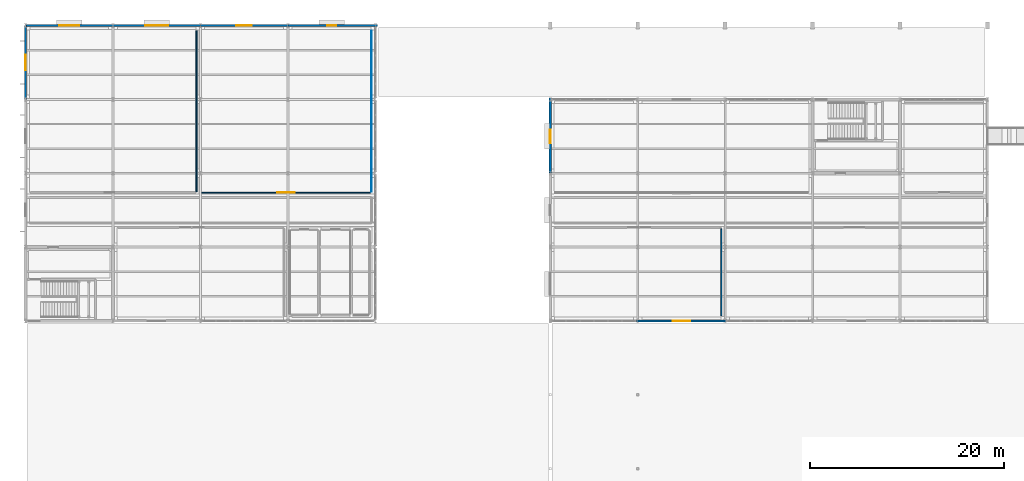
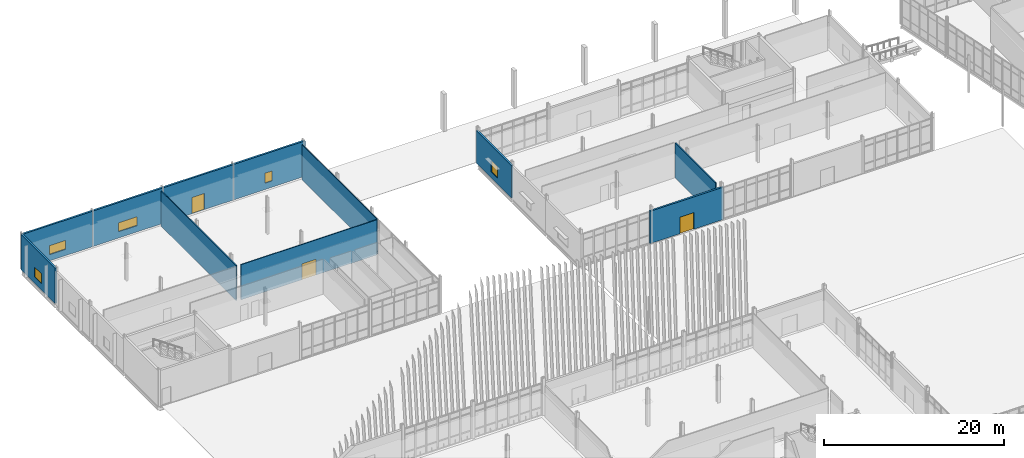
# One storey, part 145 of 161: 11 walls, 5 windows, 3 doors, 8 openings.
"""IFC4 building model written with IfcOpenShell, lengths in metres."""

from ifc_helpers import new_model, si_unit, direction, frame, frame_2d, origin, place, context, subcontext, project, spatial, rectangle, extrude, material, layer, layer_set, type_object, element, fill, save


model = new_model("IFC4")

# Units and contexts
model_context = context("Model", 3, precision=1e-05, world=origin(), true_north=direction((0.0, 1.0)))
body_context = subcontext(model_context, "Body", "Model", "MODEL_VIEW")
ifc_project = project(units=[si_unit("LENGTHUNIT", "METRE"), si_unit("AREAUNIT", "SQUARE_METRE"), si_unit("VOLUMEUNIT", "CUBIC_METRE"), si_unit("PLANEANGLEUNIT", "RADIAN"), si_unit("MASSUNIT", "GRAM", prefix="KILO")], contexts=[model_context])

# Site, building, storey
site_placement = place(None, origin())
site = spatial("IfcSite", under=ifc_project, at=site_placement, CompositionType="ELEMENT")
building_placement = place(site_placement, origin())
building = spatial("IfcBuilding", under=site, at=building_placement, Name="Caisbarro Railhouse Central Library", CompositionType="ELEMENT")
storey_placement = place(building_placement, origin())
storey = spatial("IfcBuildingStorey", under=building, at=storey_placement, Name="L00", CompositionType="ELEMENT", Elevation=0.0)

# Wall, opening, window
ifc_material_1 = material(Name="Concrete C35 insulated architectural precast", Category="concrete")
ifc_layer_1 = layer(ifc_material_1, 0.239990234375, Name="Concrete C35 insulated architectural precast")
ifc_layer_set_1 = layer_set([ifc_layer_1], Name="Concrete C35 insulated architectural precast")
wall_type_1 = type_object("IfcWallType", Name="WAL-EW24", PredefinedType="STANDARD", material=ifc_layer_set_1)
wall_1_placement = place(storey_placement, frame((0.0, 114.0, 0.0), z_axis=(0.0, 0.0, 1.0), x_axis=(1.0, 0.0, 0.0)))
wall_1 = element("IfcWall", 1, at=wall_1_placement, inside=storey, type_object=wall_type_1, Name="EW24 exterior wall L00 #139", PredefinedType="STANDARD", context=body_context, shape_type="SweptSolid", body=[
    extrude(rectangle(XDim=9.0, YDim=0.239990234375, at=frame_2d((4.5, 0.0))), origin(), (0.0, 0.0, 1.0), 4.800048828125),
])
opening_1_placement = place(wall_1_placement, frame((3.449951171875, 0.0, 0.85009765625)))
opening_1 = element("IfcOpeningElement", 2, at=opening_1_placement, cuts=wall_1, Name="Opening W08", PredefinedType="OPENING", context=body_context, shape_type="SweptSolid", body=[
    extrude(rectangle(XDim=2.10009765625, YDim=1.199951171875, at=frame_2d((1.050048828125, 0.60009765625))), frame((0.0, 0.1298828125, 0.0), z_axis=(0.0, -1.0, 0.0), x_axis=(1.0, 0.0, 0.0)), (0.0, 0.0, 1.0), 0.260009765625),
])
ifc_material_2 = material(Name="Double low-e laminated solar-control glass", Category="glass")
window_type_1 = type_object("IfcWindowType", Name="WIN-W08", PartitioningType="SINGLE_PANEL", PredefinedType="WINDOW", material=ifc_material_2)
window_1_placement = place(opening_1_placement, origin())
window_1 = element("IfcWindow", 3, at=window_1_placement, inside=storey, type_object=window_type_1, Name="W08 window L00-052", OverallHeight=1.199951171875, OverallWidth=2.10009765625, PartitioningType="SINGLE_PANEL", PredefinedType="WINDOW", context=body_context, shape_type="SweptSolid", body=[
    extrude(rectangle(XDim=2.10009765625, YDim=1.199951171875, at=frame_2d((1.050048828125, 0.60009765625))), frame((0.0, 0.030029296875, 0.0), z_axis=(0.0, -1.0, 0.0), x_axis=(1.0, 0.0, 0.0)), (0.0, 0.0, 1.0), 0.06005859375),
])
fill(opening_1, window_1)

wall_2_placement = place(storey_placement, frame((9.0, 114.0, 0.0), z_axis=(0.0, 0.0, 1.0), x_axis=(1.0, 0.0, 0.0)))
wall_2 = element("IfcWall", 4, at=wall_2_placement, inside=storey, type_object=wall_type_1, Name="EW24 exterior wall L00 #141", PredefinedType="STANDARD", context=body_context, shape_type="SweptSolid", body=[
    extrude(rectangle(XDim=9.0, YDim=0.239990234375, at=frame_2d((4.5, 0.0))), origin(), (0.0, 0.0, 1.0), 4.800048828125),
])
opening_2_placement = place(wall_2_placement, frame((3.300048828125, 0.0, 0.85009765625)))
opening_2 = element("IfcOpeningElement", 5, at=opening_2_placement, cuts=wall_2, Name="Opening W09", PredefinedType="OPENING", context=body_context, shape_type="SweptSolid", body=[
    extrude(rectangle(XDim=2.39990234375, YDim=1.199951171875, at=frame_2d((1.199951171875, 0.60009765625))), frame((0.0, 0.1298828125, 0.0), z_axis=(0.0, -1.0, 0.0), x_axis=(1.0, 0.0, 0.0)), (0.0, 0.0, 1.0), 0.260009765625),
])
window_type_2 = type_object("IfcWindowType", Name="WIN-W09", PartitioningType="SINGLE_PANEL", PredefinedType="WINDOW", material=ifc_material_2)
window_2_placement = place(opening_2_placement, origin())
window_2 = element("IfcWindow", 6, at=window_2_placement, inside=storey, type_object=window_type_2, Name="W09 window L00-053", OverallHeight=1.199951171875, OverallWidth=2.39990234375, PartitioningType="SINGLE_PANEL", PredefinedType="WINDOW", context=body_context, shape_type="SweptSolid", body=[
    extrude(rectangle(XDim=2.39990234375, YDim=1.199951171875, at=frame_2d((1.199951171875, 0.60009765625))), frame((0.0, 0.030029296875, 0.0), z_axis=(0.0, -1.0, 0.0), x_axis=(1.0, 0.0, 0.0)), (0.0, 0.0, 1.0), 0.06005859375),
])
fill(opening_2, window_2)

# Wall, opening, door
wall_3_placement = place(storey_placement, frame((18.0, 114.0, 0.0), z_axis=(0.0, 0.0, 1.0), x_axis=(1.0, 0.0, 0.0)))
wall_3 = element("IfcWall", 7, at=wall_3_placement, inside=storey, type_object=wall_type_1, Name="EW24 exterior wall L00 #142", PredefinedType="STANDARD", context=body_context, shape_type="SweptSolid", body=[
    extrude(rectangle(XDim=9.0, YDim=0.239990234375, at=frame_2d((4.5, 0.0))), origin(), (0.0, 0.0, 1.0), 4.800048828125),
])
opening_3_placement = place(wall_3_placement, frame((3.699951171875, 0.0, 0.0)))
opening_3 = element("IfcOpeningElement", 8, at=opening_3_placement, cuts=wall_3, Name="Opening ED03", PredefinedType="OPENING", context=body_context, shape_type="SweptSolid", body=[
    extrude(rectangle(XDim=1.60009765625, YDim=2.199951171875, at=frame_2d((0.800048828125, 1.10009765625))), frame((0.0, 0.1298828125, 0.0), z_axis=(0.0, -1.0, 0.0), x_axis=(1.0, 0.0, 0.0)), (0.0, 0.0, 1.0), 0.260009765625),
])
ifc_material_3 = material(Name="Thermally broken anodised aluminium and safety glass", Category="aluminium")
door_type_1 = type_object("IfcDoorType", Name="DR-ED03", OperationType="NOTDEFINED", PredefinedType="DOOR", material=ifc_material_3)
door_1_placement = place(opening_3_placement, origin())
door_1 = element("IfcDoor", 9, at=door_1_placement, inside=storey, type_object=door_type_1, Name="Exit Door ED03 L00-27", OperationType="SINGLE_SWING_RIGHT", OverallHeight=2.199951171875, OverallWidth=1.60009765625, PredefinedType="DOOR", context=body_context, shape_type="SweptSolid", body=[
    extrude(rectangle(XDim=1.60009765625, YDim=2.199951171875, at=frame_2d((0.800048828125, 1.10009765625))), frame((0.0, 0.02490234375, 0.0), z_axis=(0.0, -1.0, 0.0), x_axis=(1.0, 0.0, 0.0)), (0.0, 0.0, 1.0), 0.050048828125),
])
fill(opening_3, door_1)

# Wall, opening, window
wall_4_placement = place(storey_placement, frame((27.0, 114.0, 0.0), z_axis=(0.0, 0.0, 1.0), x_axis=(1.0, 0.0, 0.0)))
wall_4 = element("IfcWall", 10, at=wall_4_placement, inside=storey, type_object=wall_type_1, Name="EW24 exterior wall L00 #143", PredefinedType="STANDARD", context=body_context, shape_type="SweptSolid", body=[
    extrude(rectangle(XDim=9.2099609375, YDim=0.239990234375, at=frame_2d((4.60498046875, 0.0))), origin(), (0.0, 0.0, 1.0), 4.800048828125),
])
opening_4_placement = place(wall_4_placement, frame((4.02490234375, 0.0, 0.85009765625)))
opening_4 = element("IfcOpeningElement", 11, at=opening_4_placement, cuts=wall_4, Name="Opening W10", PredefinedType="OPENING", context=body_context, shape_type="SweptSolid", body=[
    extrude(rectangle(XDim=0.949951171875, YDim=1.35009765625, at=frame_2d((0.47509765625, 0.675048828125))), frame((0.0, 0.1298828125, 0.0), z_axis=(0.0, -1.0, 0.0), x_axis=(1.0, 0.0, 0.0)), (0.0, 0.0, 1.0), 0.260009765625),
])
window_type_3 = type_object("IfcWindowType", Name="WIN-W10", PartitioningType="SINGLE_PANEL", PredefinedType="WINDOW", material=ifc_material_2)
window_3_placement = place(opening_4_placement, origin())
window_3 = element("IfcWindow", 12, at=window_3_placement, inside=storey, type_object=window_type_3, Name="W10 window L00-054", OverallHeight=1.35009765625, OverallWidth=0.949951171875, PartitioningType="SINGLE_PANEL", PredefinedType="WINDOW", context=body_context, shape_type="SweptSolid", body=[
    extrude(rectangle(XDim=0.949951171875, YDim=1.35009765625, at=frame_2d((0.47509765625, 0.675048828125))), frame((0.0, 0.030029296875, 0.0), z_axis=(0.0, -1.0, 0.0), x_axis=(1.0, 0.0, 0.0)), (0.0, 0.0, 1.0), 0.06005859375),
])
fill(opening_4, window_3)

wall_5_placement = place(storey_placement, frame((0.0, 106.39990234375, 0.0), z_axis=(0.0, 0.0, 1.0), x_axis=(0.0, 1.0, 0.0)))
wall_5 = element("IfcWall", 13, at=wall_5_placement, inside=storey, type_object=wall_type_1, Name="EW24 exterior wall L00 #147", PredefinedType="STANDARD", context=body_context, shape_type="SweptSolid", body=[
    extrude(rectangle(XDim=7.60009765625, YDim=0.239990234375, at=frame_2d((3.800048828125, 0.0))), origin(), (0.0, 0.0, 1.0), 4.800048828125),
])
opening_5_placement = place(wall_5_placement, frame((3.0, 0.0, 0.85009765625)))
opening_5 = element("IfcOpeningElement", 14, at=opening_5_placement, cuts=wall_5, Name="Opening W14", PredefinedType="OPENING", context=body_context, shape_type="SweptSolid", body=[
    extrude(rectangle(XDim=1.60009765625, YDim=1.35009765625, at=frame_2d((0.800048828125, 0.675048828125))), frame((0.0, 0.1298828125, 0.0), z_axis=(0.0, -1.0, 0.0), x_axis=(1.0, 0.0, 0.0)), (0.0, 0.0, 1.0), 0.260009765625),
])
window_type_4 = type_object("IfcWindowType", Name="WIN-W14", PartitioningType="SINGLE_PANEL", PredefinedType="WINDOW", material=ifc_material_2)
window_4_placement = place(opening_5_placement, origin())
window_4 = element("IfcWindow", 15, at=window_4_placement, inside=storey, type_object=window_type_4, Name="W14 window L00-057", OverallHeight=1.35009765625, OverallWidth=1.60009765625, PartitioningType="SINGLE_PANEL", PredefinedType="WINDOW", context=body_context, shape_type="SweptSolid", body=[
    extrude(rectangle(XDim=1.60009765625, YDim=1.35009765625, at=frame_2d((0.800048828125, 0.675048828125))), frame((0.0, 0.030029296875, 0.0), z_axis=(0.0, -1.0, 0.0), x_axis=(1.0, 0.0, 0.0)), (0.0, 0.0, 1.0), 0.06005859375),
])
fill(opening_5, window_4)

# Wall, opening, door
wall_6_placement = place(storey_placement, frame((62.7900390625, 83.60009765625, 0.0), z_axis=(0.0, 0.0, 1.0), x_axis=(1.0, 0.0, 0.0)))
wall_6 = element("IfcWall", 16, at=wall_6_placement, inside=storey, type_object=wall_type_1, Name="EW24 exterior wall L00 #231", PredefinedType="STANDARD", context=body_context, shape_type="SweptSolid", body=[
    extrude(rectangle(XDim=9.419921875, YDim=0.239990234375, at=frame_2d((4.7099609375, 0.0))), origin(), (0.0, 0.0, 1.0), 4.37109375),
])
opening_6_placement = place(wall_6_placement, frame((3.81005859375, 0.0, 0.0)))
opening_6 = element("IfcOpeningElement", 17, at=opening_6_placement, cuts=wall_6, Name="Opening ED01", PredefinedType="OPENING", context=body_context, shape_type="SweptSolid", body=[
    extrude(rectangle(XDim=1.800048828125, YDim=2.25, at=frame_2d((0.89990234375, 1.125))), frame((0.0, 0.1298828125, 0.0), z_axis=(0.0, -1.0, 0.0), x_axis=(1.0, 0.0, 0.0)), (0.0, 0.0, 1.0), 0.260009765625),
])
door_type_2 = type_object("IfcDoorType", Name="DR-ED01", OperationType="NOTDEFINED", PredefinedType="DOOR", material=ifc_material_3)
door_2_placement = place(opening_6_placement, frame((1.800048828125, 0.0, 0.0), z_axis=(0.0, 0.0, 1.0), x_axis=(-1.0, 0.0, 0.0)))
door_2 = element("IfcDoor", 18, at=door_2_placement, inside=storey, type_object=door_type_2, Name="Exit Door ED01 L00-40", OperationType="SINGLE_SWING_LEFT", OverallHeight=2.25, OverallWidth=1.800048828125, PredefinedType="DOOR", context=body_context, shape_type="SweptSolid", body=[
    extrude(rectangle(XDim=1.800048828125, YDim=2.25, at=frame_2d((0.89990234375, 1.125))), frame((0.0, 0.02490234375, 0.0), z_axis=(0.0, -1.0, 0.0), x_axis=(1.0, 0.0, 0.0)), (0.0, 0.0, 1.0), 0.050048828125),
])
fill(opening_6, door_2)

# Wall, opening, window
wall_7_placement = place(storey_placement, frame((54.0, 98.800048828125, 0.0), z_axis=(0.0, 0.0, 1.0), x_axis=(0.0, 1.0, 0.0)))
wall_7 = element("IfcWall", 19, at=wall_7_placement, inside=storey, type_object=wall_type_1, Name="EW24 exterior wall L00 #239", PredefinedType="STANDARD", context=body_context, shape_type="SweptSolid", body=[
    extrude(rectangle(XDim=7.81005859375, YDim=0.239990234375, at=frame_2d((3.905029296875, 0.0))), origin(), (0.0, 0.0, 1.0), 4.4208984375),
])
opening_7_placement = place(wall_7_placement, frame((3.10009765625, 0.0, 0.85009765625)))
opening_7 = element("IfcOpeningElement", 20, at=opening_7_placement, cuts=wall_7, Name="Opening W21", PredefinedType="OPENING", context=body_context, shape_type="SweptSolid", body=[
    extrude(rectangle(XDim=1.39990234375, YDim=1.5, at=frame_2d((0.699951171875, 0.75))), frame((0.0, 0.1298828125, 0.0), z_axis=(0.0, -1.0, 0.0), x_axis=(1.0, 0.0, 0.0)), (0.0, 0.0, 1.0), 0.260009765625),
])
window_type_5 = type_object("IfcWindowType", Name="WIN-W21", PartitioningType="SINGLE_PANEL", PredefinedType="WINDOW", material=ifc_material_2)
window_5_placement = place(opening_7_placement, origin())
window_5 = element("IfcWindow", 21, at=window_5_placement, inside=storey, type_object=window_type_5, Name="W21 window L00-087", OverallHeight=1.5, OverallWidth=1.39990234375, PartitioningType="SINGLE_PANEL", PredefinedType="WINDOW", context=body_context, shape_type="SweptSolid", body=[
    extrude(rectangle(XDim=1.39990234375, YDim=1.5, at=frame_2d((0.699951171875, 0.75))), frame((0.0, 0.030029296875, 0.0), z_axis=(0.0, -1.0, 0.0), x_axis=(1.0, 0.0, 0.0)), (0.0, 0.0, 1.0), 0.06005859375),
])
fill(opening_7, window_5)

# Wall
ifc_material_4 = material(Name="Acoustic gypsum board on galvanised steel studs", Category="steel")
ifc_layer_2 = layer(ifc_material_4, 0.090087890625, Name="Acoustic gypsum board on galvanised steel studs")
ifc_layer_set_2 = layer_set([ifc_layer_2], Name="Acoustic gypsum board on galvanised steel studs")
wall_type_2 = type_object("IfcWallType", Name="WAL-IW09", PredefinedType="PARTITIONING", material=ifc_layer_set_2)
wall_8_placement = place(storey_placement, frame((35.60009765625, 96.919921875, 0.0), z_axis=(0.0, 0.0, 1.0), x_axis=(0.0, 1.0, 0.0)))
element("IfcWall", 22, at=wall_8_placement, inside=storey, type_object=wall_type_2, Name="IW09 partition wall L00 #313", PredefinedType="PARTITIONING", context=body_context, shape_type="SweptSolid", body=[
    extrude(rectangle(XDim=16.56005859375, YDim=0.090087890625, at=frame_2d((8.280029296875, 0.0))), origin(), (0.0, 0.0, 1.0), 4.760009765625),
])

# Wall, opening, door
ifc_layer_3 = layer(ifc_material_4, 0.110107421875, Name="Acoustic gypsum board on galvanised steel studs")
ifc_layer_set_3 = layer_set([ifc_layer_3], Name="Acoustic gypsum board on galvanised steel studs")
wall_type_3 = type_object("IfcWallType", Name="WAL-IW11", PredefinedType="PARTITIONING", material=ifc_layer_set_3)
wall_9_placement = place(storey_placement, frame((18.1201171875, 96.800048828125, 0.0), z_axis=(0.0, 0.0, 1.0), x_axis=(1.0, 0.0, 0.0)))
wall_9 = element("IfcWall", 23, at=wall_9_placement, inside=storey, type_object=wall_type_3, Name="IW11 partition wall L00 #312", PredefinedType="PARTITIONING", context=body_context, shape_type="SweptSolid", body=[
    extrude(rectangle(XDim=17.35986328125, YDim=0.110107421875, at=frame_2d((8.679931640625, 0.0))), origin(), (0.0, 0.0, 1.0), 4.760009765625),
])
opening_8_placement = place(wall_9_placement, frame((7.764892578125, 0.0, 0.0)))
opening_8 = element("IfcOpeningElement", 24, at=opening_8_placement, cuts=wall_9, Name="Opening ID37", PredefinedType="OPENING", context=body_context, shape_type="SweptSolid", body=[
    extrude(rectangle(XDim=1.830078125, YDim=2.14990234375, at=frame_2d((0.9150390625, 1.074951171875))), frame((0.0, 0.06494140625, 0.0), z_axis=(0.0, -1.0, 0.0), x_axis=(1.0, 0.0, 0.0)), (0.0, 0.0, 1.0), 0.130126953125),
])
ifc_material_5 = material(Name="Solid-core tropical hardwood veneer", Category="wood")
door_type_3 = type_object("IfcDoorType", Name="DR-ID37", OperationType="NOTDEFINED", PredefinedType="DOOR", material=ifc_material_5)
door_3_placement = place(opening_8_placement, origin())
door_3 = element("IfcDoor", 25, at=door_3_placement, inside=storey, type_object=door_type_3, Name="Storytelling Amphitheatre Room Door ID37 L00-199", OperationType="SINGLE_SWING_LEFT", OverallHeight=2.14990234375, OverallWidth=1.830078125, PredefinedType="DOOR", context=body_context, shape_type="SweptSolid", body=[
    extrude(rectangle(XDim=1.830078125, YDim=2.14990234375, at=frame_2d((0.9150390625, 1.074951171875))), frame((0.0, 0.02490234375, 0.0), z_axis=(0.0, -1.0, 0.0), x_axis=(1.0, 0.0, 0.0)), (0.0, 0.0, 1.0), 0.050048828125),
])
fill(opening_8, door_3)

# Walls
ifc_layer_4 = layer(ifc_material_4, 0.1298828125, Name="Acoustic gypsum board on galvanised steel studs")
ifc_layer_set_4 = layer_set([ifc_layer_4], Name="Acoustic gypsum board on galvanised steel studs")
wall_type_4 = type_object("IfcWallType", Name="WAL-IW13", PredefinedType="PARTITIONING", material=ifc_layer_set_4)
wall_10_placement = place(storey_placement, frame((17.60009765625, 96.919921875, 0.0), z_axis=(0.0, 0.0, 1.0), x_axis=(0.0, 1.0, 0.0)))
element("IfcWall", 26, at=wall_10_placement, inside=storey, type_object=wall_type_4, Name="IW13 partition wall L00 #311", PredefinedType="PARTITIONING", context=body_context, shape_type="SweptSolid", body=[
    extrude(rectangle(XDim=16.56005859375, YDim=0.1298828125, at=frame_2d((8.280029296875, 0.0))), origin(), (0.0, 0.0, 1.0), 4.760009765625),
])
wall_11_placement = place(storey_placement, frame((71.60009765625, 84.1201171875, 0.0), z_axis=(0.0, 0.0, 1.0), x_axis=(0.0, 1.0, 0.0)))
element("IfcWall", 27, at=wall_11_placement, inside=storey, type_object=wall_type_4, Name="IW13 partition wall L00 #315", PredefinedType="PARTITIONING", context=body_context, shape_type="SweptSolid", body=[
    extrude(rectangle(XDim=8.9599609375, YDim=0.1298828125, at=frame_2d((4.47998046875, 0.0))), origin(), (0.0, 0.0, 1.0), 4.760009765625),
])

save(model, "model.ifc")
